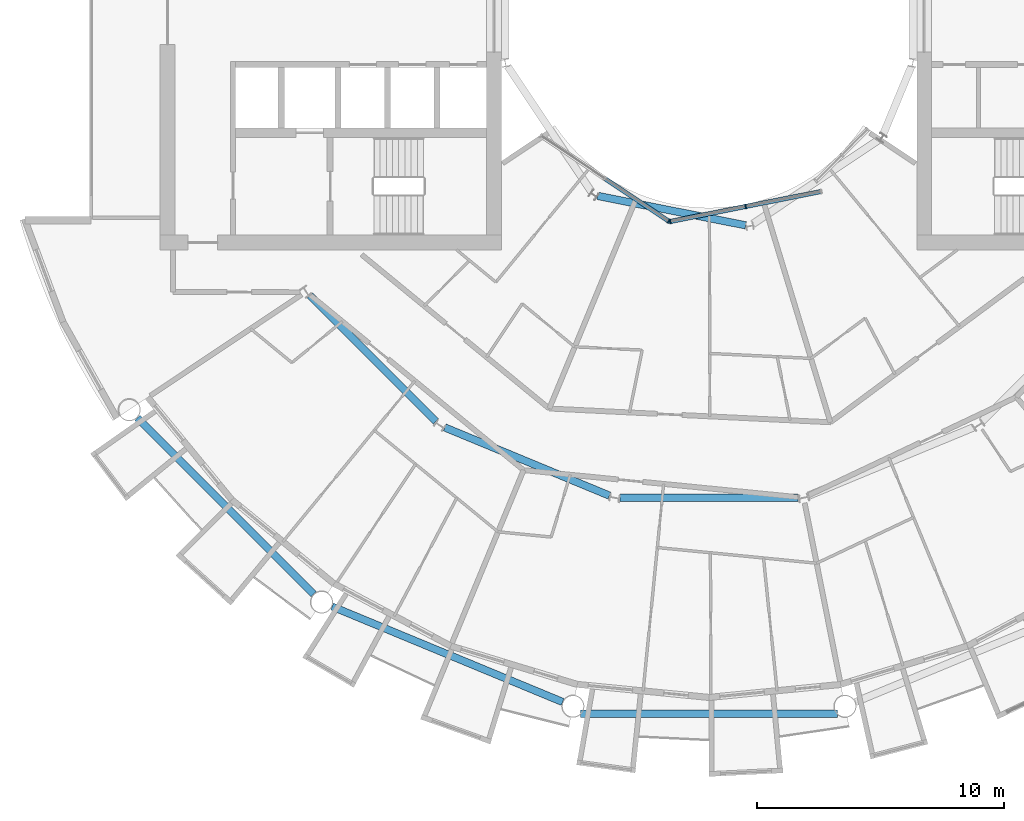
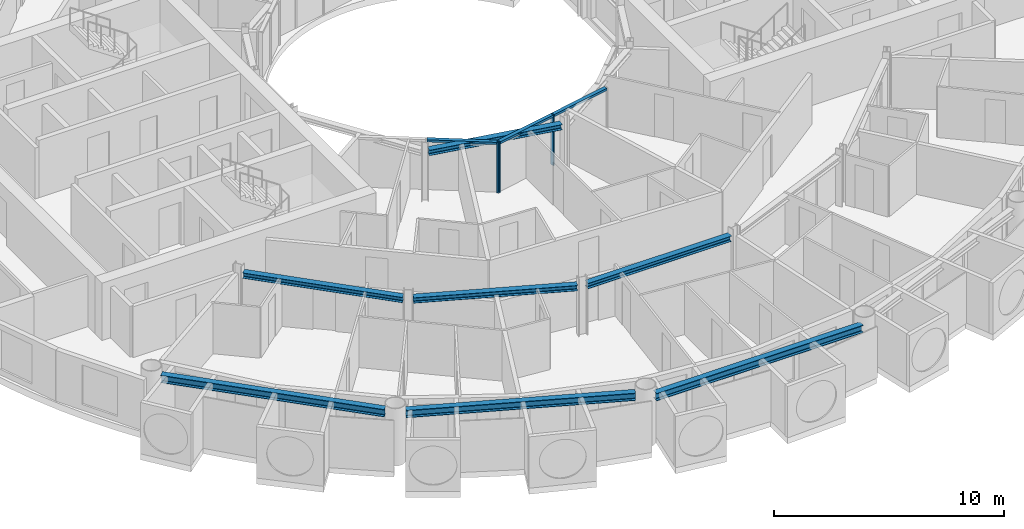
# One storey, part 5 of 27: 7 beams, 6 members, 2 elements without a shape of their own.
"""IFC4 building model written with IfcOpenShell, lengths in metres."""

from ifc_helpers import new_model, si_unit, direction, frame, origin, origin_2d, place, context, subcontext, project, spatial, rectangle, i_section, extrude, material, layer, layer_set, material_profile, profile_set, type_object, element, aggregate, save


model = new_model("IFC4")

# Units and contexts
model_context = context("Model", 3, precision=1e-05, world=origin(), true_north=direction((0.0, 1.0)))
body_context = subcontext(model_context, "Body", "Model", "MODEL_VIEW")
ifc_project = project(units=[si_unit("LENGTHUNIT", "METRE"), si_unit("AREAUNIT", "SQUARE_METRE"), si_unit("VOLUMEUNIT", "CUBIC_METRE"), si_unit("PLANEANGLEUNIT", "RADIAN"), si_unit("MASSUNIT", "GRAM", prefix="KILO")], contexts=[model_context])

# Site, building, storey
site_placement = place(None, origin())
site = spatial("IfcSite", under=ifc_project, at=site_placement, CompositionType="ELEMENT")
building_placement = place(site_placement, origin())
building = spatial("IfcBuilding", under=site, at=building_placement, Name="Maasbend Ring Residences", CompositionType="ELEMENT")
storey_placement = place(building_placement, frame((0.0, 0.0, 111.64990234375)))
storey = spatial("IfcBuildingStorey", under=building, at=storey_placement, Name="L31", CompositionType="ELEMENT", Elevation=111.64990234375)

# Curtain wall, member
ifc_material_1 = material(Name="Aluminium and clear glass", Category="aluminium")
ifc_layer = layer(ifc_material_1, 0.179931640625)
ifc_layer_set = layer_set([ifc_layer], Name="CW-W")
curtain_wall_type = type_object("IfcCurtainWallType", Name="CW-W", PredefinedType="NOTDEFINED", material=ifc_layer_set)
curtain_wall_1_placement = place(storey_placement, origin())
curtain_wall_1 = element("IfcCurtainWall", 1, at=curtain_wall_1_placement, inside=storey, type_object=curtain_wall_type, Name="Well curtain wall S1", PredefinedType="NOTDEFINED")
ifc_material_2 = material(Name="Aluminium 6063-T6", Category="aluminium")
ifc_material_profile_1 = material_profile(ifc_material_2, rectangle(XDim=0.179931640625, YDim=0.06005859375, at=origin_2d()), Name="AL 180x60")
ifc_profile_set_1 = profile_set([ifc_material_profile_1], Name="Aluminium 6063-T6")
member_type_1 = type_object("IfcMemberType", Name="CWM-W", PredefinedType="MULLION", material=ifc_profile_set_1)
member_1_placement = place(storey_placement, frame((-1.627685546875, -8.040771484375, 0.0), z_axis=(0.0, 0.0, 1.0), x_axis=(0.55557023302, 0.831469612303, 0.0)))
member_1 = element("IfcMember", 2, at=member_1_placement, type_object=member_type_1, Name="Mullion well face", PredefinedType="MULLION", context=body_context, shape_type="SweptSolid", body=[
    extrude(rectangle(XDim=0.179931640625, YDim=0.06005859375, at=origin_2d()), origin(), (0.0, 0.0, 1.0), 2.7001953125),
])

# Curtain wall, members
curtain_wall_2_placement = place(storey_placement, origin())
curtain_wall_2 = element("IfcCurtainWall", 3, at=curtain_wall_2_placement, inside=storey, type_object=curtain_wall_type, Name="Well curtain wall S2", PredefinedType="NOTDEFINED")
member_2_placement = place(storey_placement, frame((-1.5732421875, -8.0517578125, 0.0), z_axis=(0.0, 0.0, 1.0), x_axis=(-0.195090322016, 0.980785280403, 0.0)))
member_2 = element("IfcMember", 4, at=member_2_placement, type_object=member_type_1, Name="Mullion well face", PredefinedType="MULLION", context=body_context, shape_type="SweptSolid", body=[
    extrude(rectangle(XDim=0.179931640625, YDim=0.06005859375, at=origin_2d()), origin(), (0.0, 0.0, 1.0), 2.7001953125),
])
member_3_placement = place(storey_placement, frame((1.480712890625, -7.444091796875, 0.0), z_axis=(0.0, 0.0, 1.0), x_axis=(-0.195090322016, 0.980785280403, 0.0)))
member_3 = element("IfcMember", 5, at=member_3_placement, type_object=member_type_1, Name="Mullion well face", PredefinedType="MULLION", context=body_context, shape_type="SweptSolid", body=[
    extrude(rectangle(XDim=0.179931640625, YDim=0.06005859375, at=origin_2d()), origin(), (0.0, 0.0, 1.0), 2.7001953125),
])

# Member
ifc_material_3 = material(Name="Aluminium 6063-T6", Category="aluminium")
ifc_material_profile_2 = material_profile(ifc_material_3, rectangle(XDim=0.179931640625, YDim=0.1201171875, at=origin_2d()), Name="AL 180x120")
ifc_profile_set_2 = profile_set([ifc_material_profile_2], Name="Aluminium 6063-T6")
member_type_2 = type_object("IfcMemberType", Name="CWT-W", PredefinedType="USERDEFINED", material=ifc_profile_set_2)
member_4_placement = place(storey_placement, frame((-4.19189453125, -6.32763671875, 2.64013671875), z_axis=(0.831496422459, -0.555530106689, 0.0), x_axis=(0.555530106689, 0.831496422459, 0.0)))
member_4 = element("IfcMember", 6, at=member_4_placement, type_object=member_type_2, Name="Transom well face", ObjectType="TRANSOM", PredefinedType="USERDEFINED", context=body_context, shape_type="SweptSolid", body=[
    extrude(rectangle(XDim=0.179931640625, YDim=0.1201171875, at=origin_2d()), origin(), (0.0, 0.0, 1.0), 3.053955078125),
])

aggregate(curtain_wall_1, [member_1, member_4])

member_5_placement = place(storey_placement, frame((-1.5439453125, -8.0458984375, 2.64013671875), z_axis=(0.980776956105, 0.195132166424, 0.0), x_axis=(-0.195132166424, 0.980776956105, 0.0)))
member_5 = element("IfcMember", 7, at=member_5_placement, type_object=member_type_2, Name="Transom well face", ObjectType="TRANSOM", PredefinedType="USERDEFINED", context=body_context, shape_type="SweptSolid", body=[
    extrude(rectangle(XDim=0.179931640625, YDim=0.1201171875, at=origin_2d()), origin(), (0.0, 0.0, 1.0), 3.053955078125),
])

member_6_placement = place(storey_placement, frame((1.51025390625, -7.438232421875, 2.64013671875), z_axis=(0.980789210404, 0.19507056353, 0.0), x_axis=(-0.19507056353, 0.980789210404, 0.0)))
member_6 = element("IfcMember", 8, at=member_6_placement, type_object=member_type_2, Name="Transom well face", ObjectType="TRANSOM", PredefinedType="USERDEFINED", context=body_context, shape_type="SweptSolid", body=[
    extrude(rectangle(XDim=0.179931640625, YDim=0.1201171875, at=origin_2d()), origin(), (0.0, 0.0, 1.0), 3.0537109375),
])

aggregate(curtain_wall_2, [member_2, member_3, member_5, member_6])

# Beams
ifc_material_4 = material(Name="Steel S355J2", Category="steel")
ifc_material_profile_3 = material_profile(ifc_material_4, i_section(OverallWidth=0.300048828125, OverallDepth=0.2900390625, WebThickness=0.008544921875, FlangeThickness=0.013916015625, FilletRadius=0.027099609375, at=origin_2d()), Name="HEA 300")
ifc_profile_set_3 = profile_set([ifc_material_profile_3], Name="Steel S355J2")
beam_type_1 = type_object("IfcBeamType", Name="Corridor ring beam HEA 300", PredefinedType="BEAM", material=ifc_profile_set_3)
for number, where, z_axis, x_axis, name in (
    (9, (-16.14111328125, -11.044921875, 2.55517578125), (0.707106781187, -0.707106781187, 0.0), (0.707106781187, 0.707106781187, 0.0), "Corridor ring beam"),
    (10, (-10.685791015625, -16.381103515625, 2.55517578125), (0.923877693919, -0.382687871089, 0.0), (0.382687871089, 0.923877693919, 0.0), "Corridor ring beam"),
    (11, (-3.603515625, -19.223388671875, 2.55517578125), (1.0, 0.0, 0.0), (0.0, 1.0, 0.0), "Corridor ring beam"),
):
    element("IfcBeam", number, at=place(storey_placement, frame(where, z_axis=z_axis, x_axis=x_axis)), inside=storey, type_object=beam_type_1, Name=name, PredefinedType="BEAM", context=body_context, shape_type="SweptSolid", body=[
        extrude(i_section(OverallWidth=0.300048828125, OverallDepth=0.2900390625, WebThickness=0.008544921875, FlangeThickness=0.013916015625, FilletRadius=0.027099609375, at=origin_2d()), origin(), (0.0, 0.0, 1.0), 7.20703125),
    ])
ifc_material_5 = material(Name="Steel S355J2", Category="steel")
ifc_material_profile_4 = material_profile(ifc_material_5, i_section(OverallWidth=0.300048828125, OverallDepth=0.39990234375, WebThickness=0.013427734375, FlangeThickness=0.02392578125, FilletRadius=0.027099609375, at=origin_2d()), Name="HEB 400")
ifc_profile_set_4 = profile_set([ifc_material_profile_4], Name="Steel S355J2")
beam_type_2 = type_object("IfcBeamType", Name="Spandrel ring beam HEB 400", PredefinedType="SPANDREL", material=ifc_profile_set_4)
for number, where, z_axis, x_axis, name in (
    (12, (-23.124267578125, -15.990234375, 2.5), (0.707106781187, -0.707106781187, 0.0), (0.707106781187, 0.707106781187, 0.0), "Spandrel ring beam"),
    (13, (-15.244873046875, -23.622314453125, 2.5), (0.92388529709, -0.382669515144, 0.0), (0.382669515144, 0.92388529709, 0.0), "Spandrel ring beam"),
):
    element("IfcBeam", number, at=place(storey_placement, frame(where, z_axis=z_axis, x_axis=x_axis)), inside=storey, type_object=beam_type_2, Name=name, PredefinedType="SPANDREL", context=body_context, shape_type="SweptSolid", body=[
        extrude(i_section(OverallWidth=0.300048828125, OverallDepth=0.39990234375, WebThickness=0.013427734375, FlangeThickness=0.02392578125, FilletRadius=0.027099609375, at=origin_2d()), origin(), (0.0, 0.0, 1.0), 10.089111328125),
    ])
beam_1_placement = place(storey_placement, frame((-5.194580078125, -27.9580078125, 2.5), z_axis=(1.0, 0.0, 0.0), x_axis=(0.0, 1.0, 0.0)))
element("IfcBeam", 14, at=beam_1_placement, inside=storey, type_object=beam_type_2, Name="Spandrel ring beam", PredefinedType="SPANDREL", context=body_context, shape_type="SweptSolid", body=[
    extrude(i_section(OverallWidth=0.300048828125, OverallDepth=0.39990234375, WebThickness=0.013427734375, FlangeThickness=0.02392578125, FilletRadius=0.027099609375, at=origin_2d()), origin(), (0.0, 0.0, 1.0), 10.38916015625),
])
ifc_material_6 = material(Name="Steel S355J2", Category="steel")
ifc_material_profile_5 = material_profile(ifc_material_6, i_section(OverallWidth=0.300048828125, OverallDepth=0.2900390625, WebThickness=0.008544921875, FlangeThickness=0.013916015625, FilletRadius=0.027099609375, at=origin_2d()), Name="HEA 300")
ifc_profile_set_5 = profile_set([ifc_material_profile_5], Name="Steel S355J2")
beam_type_3 = type_object("IfcBeamType", Name="Well edge beam HEA 300", PredefinedType="BEAM", material=ifc_profile_set_5)
beam_2_placement = place(storey_placement, frame((-4.507568359375, -7.01611328125, 2.55517578125), z_axis=(0.980792381321, -0.195054619896, 0.0), x_axis=(0.195054619896, 0.980792381321, 0.0)))
element("IfcBeam", 15, at=beam_2_placement, inside=storey, type_object=beam_type_3, Name="Well edge beam", PredefinedType="BEAM", context=body_context, shape_type="SweptSolid", body=[
    extrude(i_section(OverallWidth=0.300048828125, OverallDepth=0.2900390625, WebThickness=0.008544921875, FlangeThickness=0.013916015625, FilletRadius=0.027099609375, at=origin_2d()), origin(), (0.0, 0.0, 1.0), 6.104248046875),
])

save(model, "model.ifc")
